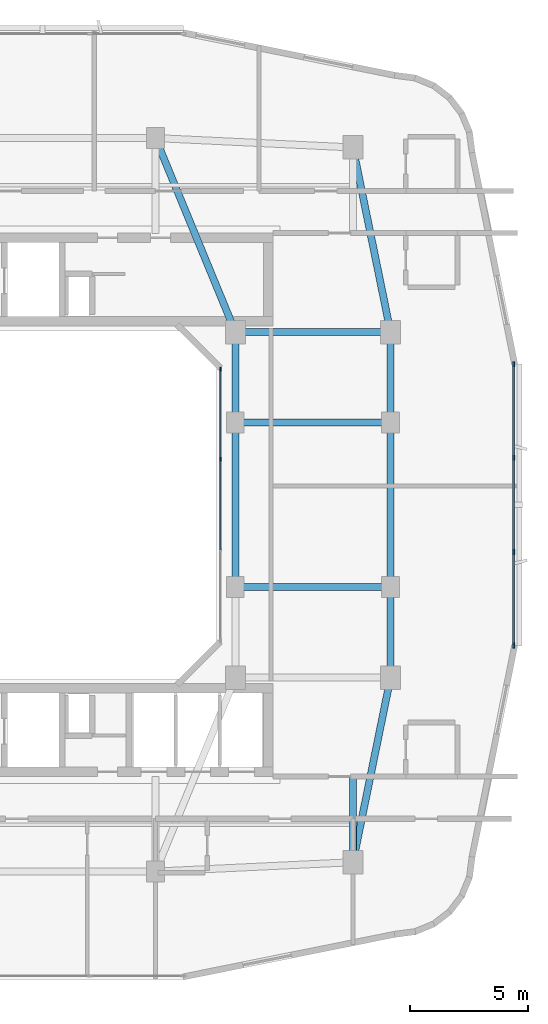
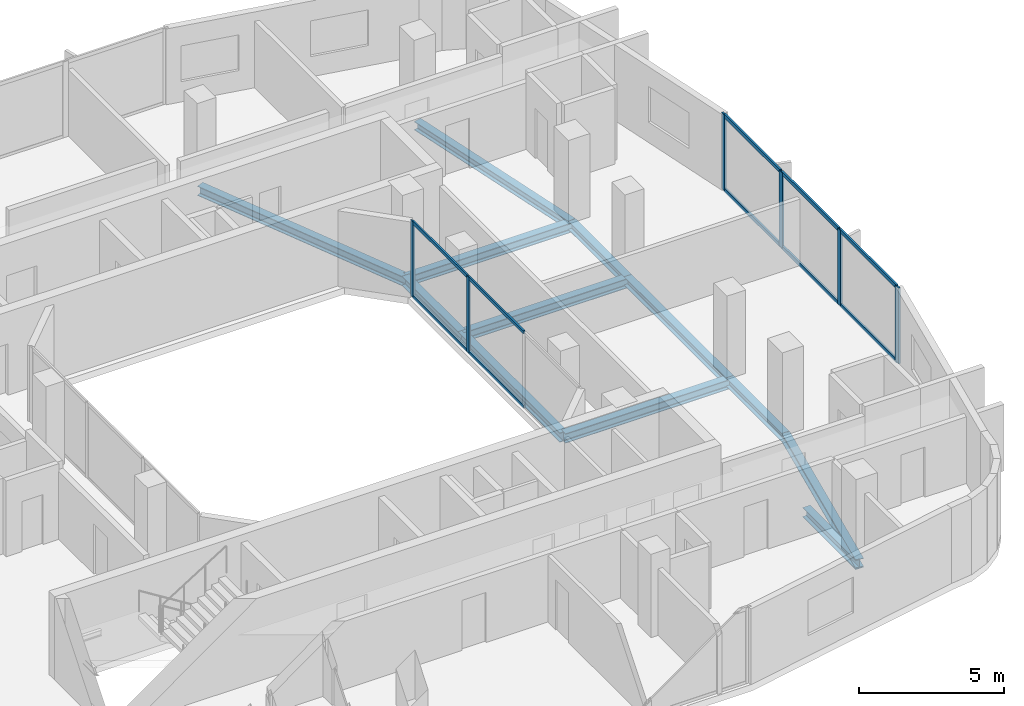
# One storey, part 4 of 14: 16 members, 12 beams, 2 elements without a shape of their own.
"""IFC4 building model written with IfcOpenShell, lengths in metres."""

from ifc_helpers import new_model, si_unit, derived_unit, direction, frame, origin, origin_2d, place, context, subcontext, project, spatial, rectangle, i_section, extrude, material, layer, layer_set, material_profile, profile_set, type_object, element, aggregate, save


model = new_model("IFC4")

# Units and contexts
model_context = context("Model", 3, precision=1e-05, world=origin(), true_north=direction((0.0, 1.0)))
body_context = subcontext(model_context, "Body", "Model", "MODEL_VIEW")
ifc_project = project(units=[si_unit("LENGTHUNIT", "METRE"), si_unit("AREAUNIT", "SQUARE_METRE"), si_unit("VOLUMEUNIT", "CUBIC_METRE"), si_unit("PLANEANGLEUNIT", "RADIAN"), si_unit("MASSUNIT", "GRAM", prefix="KILO"), derived_unit("THERMALTRANSMITTANCEUNIT", [(si_unit("POWERUNIT", "WATT"), 1), (si_unit("LENGTHUNIT", "METRE"), -2), (si_unit("THERMODYNAMICTEMPERATUREUNIT", "KELVIN"), -1)])], contexts=[model_context])

# Site, building, storey
site_placement = place(None, origin())
site = spatial("IfcSite", under=ifc_project, at=site_placement, CompositionType="ELEMENT")
building_placement = place(site_placement, origin())
building = spatial("IfcBuilding", under=site, at=building_placement, Name="Kivonza Crest Hotel", CompositionType="ELEMENT")
storey_placement = place(building_placement, frame((0.0, 0.0, 169.5)))
storey = spatial("IfcBuildingStorey", under=building, at=storey_placement, Name="L46", CompositionType="ELEMENT", Elevation=169.5)

# Beams
ifc_material_1 = material(Name="Steel S355", Category="steel")
ifc_material_profile_1 = material_profile(ifc_material_1, i_section(OverallWidth=0.300048828125, OverallDepth=0.360107421875, WebThickness=0.012451171875, FlangeThickness=0.0224609375, FilletRadius=0.027099609375, at=origin_2d()), Name="HEB 360")
ifc_profile_set_1 = profile_set([ifc_material_profile_1], Name="Steel S355")
beam_type_1 = type_object("IfcBeamType", Name="BM-HEB360", PredefinedType="SPANDREL", material=ifc_profile_set_1)
beam_1_placement = place(storey_placement, frame((34.199951171875, 9.800048828125, -0.4599609375), z_axis=(0.199730733965, 0.979850822273, 0.0), x_axis=(-0.979850822273, 0.199730733965, 0.0)))
element("IfcBeam", 1, at=beam_1_placement, inside=storey, type_object=beam_type_1, Name="Tower T1 L46 perimeter spandrel SE-PSE", PredefinedType="SPANDREL", context=body_context, shape_type="SweptSolid", body=[
    extrude(i_section(OverallWidth=0.300048828125, OverallDepth=0.360107421875, WebThickness=0.012451171875, FlangeThickness=0.0224609375, FilletRadius=0.027099609375, at=origin_2d()), origin(), (0.0, 0.0, 1.0), 8.01123046875),
])
beam_2_placement = place(storey_placement, frame((35.800048828125, 17.64990234375, -0.4599609375), z_axis=(0.0, 1.0, 0.0), x_axis=(-1.0, 0.0, 0.0)))
element("IfcBeam", 2, at=beam_2_placement, inside=storey, type_object=beam_type_1, Name="Tower T1 L46 perimeter spandrel PSE-E1", PredefinedType="SPANDREL", context=body_context, shape_type="SweptSolid", body=[
    extrude(i_section(OverallWidth=0.300048828125, OverallDepth=0.360107421875, WebThickness=0.012451171875, FlangeThickness=0.0224609375, FilletRadius=0.027099609375, at=origin_2d()), origin(), (0.0, 0.0, 1.0), 3.85009765625),
])
beam_3_placement = place(storey_placement, frame((35.800048828125, 21.5, -0.4599609375), z_axis=(0.0, 1.0, 0.0), x_axis=(-1.0, 0.0, 0.0)))
element("IfcBeam", 3, at=beam_3_placement, inside=storey, type_object=beam_type_1, Name="Tower T1 L46 perimeter spandrel E1-E2", PredefinedType="SPANDREL", context=body_context, shape_type="SweptSolid", body=[
    extrude(i_section(OverallWidth=0.300048828125, OverallDepth=0.360107421875, WebThickness=0.012451171875, FlangeThickness=0.0224609375, FilletRadius=0.027099609375, at=origin_2d()), origin(), (0.0, 0.0, 1.0), 7.0),
])
beam_4_placement = place(storey_placement, frame((35.800048828125, 28.5, -0.4599609375), z_axis=(0.0, 1.0, 0.0), x_axis=(-1.0, 0.0, 0.0)))
element("IfcBeam", 4, at=beam_4_placement, inside=storey, type_object=beam_type_1, Name="Tower T1 L46 perimeter spandrel E2-PNE", PredefinedType="SPANDREL", context=body_context, shape_type="SweptSolid", body=[
    extrude(i_section(OverallWidth=0.300048828125, OverallDepth=0.360107421875, WebThickness=0.012451171875, FlangeThickness=0.0224609375, FilletRadius=0.027099609375, at=origin_2d()), origin(), (0.0, 0.0, 1.0), 3.85009765625),
])
beam_5_placement = place(storey_placement, frame((35.800048828125, 32.35009765625, -0.4599609375), z_axis=(-0.199730733965, 0.979850822273, 0.0), x_axis=(-0.979850822273, -0.199730733965, 0.0)))
element("IfcBeam", 5, at=beam_5_placement, inside=storey, type_object=beam_type_1, Name="Tower T1 L46 perimeter spandrel PNE-NE", PredefinedType="SPANDREL", context=body_context, shape_type="SweptSolid", body=[
    extrude(i_section(OverallWidth=0.300048828125, OverallDepth=0.360107421875, WebThickness=0.012451171875, FlangeThickness=0.0224609375, FilletRadius=0.027099609375, at=origin_2d()), origin(), (0.0, 0.0, 1.0), 8.01123046875),
])
ifc_material_profile_2 = material_profile(ifc_material_1, i_section(OverallWidth=0.300048828125, OverallDepth=0.39990234375, WebThickness=0.013427734375, FlangeThickness=0.02392578125, FilletRadius=0.027099609375, at=origin_2d()), Name="HEB 400")
ifc_profile_set_2 = profile_set([ifc_material_profile_2], Name="Steel S355")
beam_type_2 = type_object("IfcBeamType", Name="BM-HEB400", PredefinedType="BEAM", material=ifc_profile_set_2)
beam_6_placement = place(storey_placement, frame((25.800048828125, 40.60009765625, -0.47998046875), z_axis=(0.381022260404, -0.924565864109, 0.0), x_axis=(0.924565864109, 0.381022260404, 0.0)))
element("IfcBeam", 6, at=beam_6_placement, inside=storey, type_object=beam_type_2, Name="Tower T1 L46 primary girder N1-TNE", PredefinedType="BEAM", context=body_context, shape_type="SweptSolid", body=[
    extrude(i_section(OverallWidth=0.300048828125, OverallDepth=0.39990234375, WebThickness=0.013427734375, FlangeThickness=0.02392578125, FilletRadius=0.027099609375, at=origin_2d()), origin(), (0.0, 0.0, 1.0), 8.923095703125),
])
beam_7_placement = place(storey_placement, frame((29.199951171875, 32.35009765625, -0.47998046875), z_axis=(1.0, 0.0, 0.0), x_axis=(0.0, 1.0, 0.0)))
element("IfcBeam", 7, at=beam_7_placement, inside=storey, type_object=beam_type_2, Name="Tower T1 L46 primary girder TNE-PNE", PredefinedType="BEAM", context=body_context, shape_type="SweptSolid", body=[
    extrude(i_section(OverallWidth=0.300048828125, OverallDepth=0.39990234375, WebThickness=0.013427734375, FlangeThickness=0.02392578125, FilletRadius=0.027099609375, at=origin_2d()), origin(), (0.0, 0.0, 1.0), 6.60009765625),
])
beam_8_placement = place(storey_placement, frame((29.199951171875, 21.5, -0.47998046875), z_axis=(0.0, 1.0, 0.0), x_axis=(-1.0, 0.0, 0.0)))
element("IfcBeam", 8, at=beam_8_placement, inside=storey, type_object=beam_type_2, Name="Tower T1 L46 primary girder WR1-WR2", PredefinedType="BEAM", context=body_context, shape_type="SweptSolid", body=[
    extrude(i_section(OverallWidth=0.300048828125, OverallDepth=0.39990234375, WebThickness=0.013427734375, FlangeThickness=0.02392578125, FilletRadius=0.027099609375, at=origin_2d()), origin(), (0.0, 0.0, 1.0), 7.0),
])
beam_9_placement = place(storey_placement, frame((29.199951171875, 28.5, -0.47998046875), z_axis=(0.0, 1.0, 0.0), x_axis=(-1.0, 0.0, 0.0)))
element("IfcBeam", 9, at=beam_9_placement, inside=storey, type_object=beam_type_2, Name="Tower T1 L46 primary girder WR2-TNE", PredefinedType="BEAM", context=body_context, shape_type="SweptSolid", body=[
    extrude(i_section(OverallWidth=0.300048828125, OverallDepth=0.39990234375, WebThickness=0.013427734375, FlangeThickness=0.02392578125, FilletRadius=0.027099609375, at=origin_2d()), origin(), (0.0, 0.0, 1.0), 3.85009765625),
])
for number, where, z_axis, x_axis, name in (
    (10, (29.199951171875, 21.5, -0.47998046875), (1.0, 0.0, 0.0), (0.0, 1.0, 0.0), "Tower T1 L46 primary girder WR1-E1"),
    (11, (29.199951171875, 28.5, -0.47998046875), (1.0, 0.0, 0.0), (0.0, 1.0, 0.0), "Tower T1 L46 primary girder WR2-E2"),
):
    element("IfcBeam", number, at=place(storey_placement, frame(where, z_axis=z_axis, x_axis=x_axis)), inside=storey, type_object=beam_type_2, Name=name, PredefinedType="BEAM", context=body_context, shape_type="SweptSolid", body=[
        extrude(i_section(OverallWidth=0.300048828125, OverallDepth=0.39990234375, WebThickness=0.013427734375, FlangeThickness=0.02392578125, FilletRadius=0.027099609375, at=origin_2d()), origin(), (0.0, 0.0, 1.0), 6.60009765625),
    ])
beam_10_placement = place(storey_placement, frame((34.199951171875, 9.800048828125, -0.47998046875), z_axis=(0.0, 1.0, 0.0), x_axis=(-1.0, 0.0, 0.0)))
element("IfcBeam", 12, at=beam_10_placement, inside=storey, type_object=beam_type_2, Name="Tower T1 L46 radial core girder RSE", PredefinedType="BEAM", context=body_context, shape_type="SweptSolid", body=[
    extrude(i_section(OverallWidth=0.300048828125, OverallDepth=0.39990234375, WebThickness=0.013427734375, FlangeThickness=0.02392578125, FilletRadius=0.027099609375, at=origin_2d()), origin(), (0.0, 0.0, 1.0), 3.64990234375),
])

# Curtain wall, members
ifc_material_2 = material(Name="Anodised bronze aluminium and low-E double glazing", Category="aluminium")
ifc_layer_1 = layer(ifc_material_2, 0.159912109375)
ifc_layer_set_1 = layer_set([ifc_layer_1], Name="Anodised bronze aluminium and low-E double glazing")
curtain_wall_type_1 = type_object("IfcCurtainWallType", Name="CW-SYS-5", PredefinedType="NOTDEFINED", material=ifc_layer_set_1)
curtain_wall_1_placement = place(storey_placement, origin())
curtain_wall_1 = element("IfcCurtainWall", 13, at=curtain_wall_1_placement, inside=storey, type_object=curtain_wall_type_1, Name="L46 unitised curtain wall CW-WELL-T1-L46-3", PredefinedType="NOTDEFINED")
ifc_material_3 = material(Name="Anodised bronze aluminium", Category="aluminium")
ifc_material_profile_3 = material_profile(ifc_material_3, rectangle(XDim=0.06494140625, YDim=0.179931640625, at=origin_2d()), Name="CW-M 65x180")
ifc_profile_set_3 = profile_set([ifc_material_profile_3], Name="Anodised bronze aluminium")
member_type_1 = type_object("IfcMemberType", Name="CW-MUL-65x180", PredefinedType="MULLION", material=ifc_profile_set_3)
member_1_placement = place(storey_placement, frame((28.56005859375, 26.933349609375, 0.0), z_axis=(0.0, 0.0, 1.0), x_axis=(-1.0, 0.0, 0.0)))
member_1 = element("IfcMember", 14, at=member_1_placement, type_object=member_type_1, Name="CW-5 mullion 3", PredefinedType="MULLION", context=body_context, shape_type="SweptSolid", body=[
    extrude(rectangle(XDim=0.06494140625, YDim=0.179931640625, at=origin_2d()), origin(), (0.0, 0.0, 1.0), 3.179931640625),
])
member_2_placement = place(storey_placement, frame((28.56005859375, 30.767578125, 0.0), z_axis=(0.0, 0.0, 1.0), x_axis=(-1.0, 0.0, 0.0)))
member_2 = element("IfcMember", 15, at=member_2_placement, type_object=member_type_1, Name="CW-5 mullion 4", PredefinedType="MULLION", context=body_context, shape_type="SweptSolid", body=[
    extrude(rectangle(XDim=0.06494140625, YDim=0.179931640625, at=origin_2d()), origin(), (0.0, 0.0, 1.0), 3.179931640625),
])

ifc_layer_2 = layer(ifc_material_2, 0.179931640625)
ifc_layer_set_2 = layer_set([ifc_layer_2], Name="Anodised bronze aluminium and low-E double glazing")
curtain_wall_type_2 = type_object("IfcCurtainWallType", Name="CW-SYS-3", PredefinedType="NOTDEFINED", material=ifc_layer_set_2)
curtain_wall_2_placement = place(storey_placement, origin())
curtain_wall_2 = element("IfcCurtainWall", 16, at=curtain_wall_2_placement, inside=storey, type_object=curtain_wall_type_2, Name="L46 unitised curtain wall CW-T1-L46-17", PredefinedType="NOTDEFINED")
ifc_material_profile_4 = material_profile(ifc_material_3, rectangle(XDim=0.074951171875, YDim=0.219970703125, at=origin_2d()), Name="CW-M 75x220")
ifc_profile_set_4 = profile_set([ifc_material_profile_4], Name="Anodised bronze aluminium")
member_type_2 = type_object("IfcMemberType", Name="CW-MUL-75x220", PredefinedType="MULLION", material=ifc_profile_set_4)
member_3_placement = place(storey_placement, frame((41.0400390625, 19.017578125, 0.0), z_axis=(0.0, 0.0, 1.0), x_axis=(-1.0, 0.0, 0.0)))
member_3 = element("IfcMember", 17, at=member_3_placement, type_object=member_type_2, Name="CW-3 mullion 1", PredefinedType="MULLION", context=body_context, shape_type="SweptSolid", body=[
    extrude(rectangle(XDim=0.074951171875, YDim=0.219970703125, at=origin_2d()), origin(), (0.0, 0.0, 1.0), 3.179931640625),
])
member_4_placement = place(storey_placement, frame((41.0400390625, 22.993408203125, 0.0), z_axis=(0.0, 0.0, 1.0), x_axis=(-1.0, 0.0, 0.0)))
member_4 = element("IfcMember", 18, at=member_4_placement, type_object=member_type_2, Name="CW-3 mullion 2", PredefinedType="MULLION", context=body_context, shape_type="SweptSolid", body=[
    extrude(rectangle(XDim=0.074951171875, YDim=0.219970703125, at=origin_2d()), origin(), (0.0, 0.0, 1.0), 3.179931640625),
])
member_5_placement = place(storey_placement, frame((41.0400390625, 27.006591796875, 0.0), z_axis=(0.0, 0.0, 1.0), x_axis=(-1.0, 0.0, 0.0)))
member_5 = element("IfcMember", 19, at=member_5_placement, type_object=member_type_2, Name="CW-3 mullion 3", PredefinedType="MULLION", context=body_context, shape_type="SweptSolid", body=[
    extrude(rectangle(XDim=0.074951171875, YDim=0.219970703125, at=origin_2d()), origin(), (0.0, 0.0, 1.0), 3.179931640625),
])
member_6_placement = place(storey_placement, frame((41.0400390625, 30.982421875, 0.0), z_axis=(0.0, 0.0, 1.0), x_axis=(-1.0, 0.0, 0.0)))
member_6 = element("IfcMember", 20, at=member_6_placement, type_object=member_type_2, Name="CW-3 mullion 4", PredefinedType="MULLION", context=body_context, shape_type="SweptSolid", body=[
    extrude(rectangle(XDim=0.074951171875, YDim=0.219970703125, at=origin_2d()), origin(), (0.0, 0.0, 1.0), 3.179931640625),
])

# Member
ifc_material_profile_5 = material_profile(ifc_material_3, rectangle(XDim=0.06494140625, YDim=0.139892578125, at=origin_2d()), Name="CW-T 65x140")
ifc_profile_set_5 = profile_set([ifc_material_profile_5], Name="Anodised bronze aluminium")
member_type_3 = type_object("IfcMemberType", Name="CW-TRN-65x140", PredefinedType="USERDEFINED", material=ifc_profile_set_5)
member_7_placement = place(storey_placement, frame((28.56005859375, 23.09912109375, 0.032470703125), z_axis=(0.0, 1.0, 0.0), x_axis=(-1.0, 0.0, 0.0)))
member_7 = element("IfcMember", 21, at=member_7_placement, type_object=member_type_3, Name="CW-5 transom 2.1", ObjectType="TRANSOM", PredefinedType="USERDEFINED", context=body_context, shape_type="SweptSolid", body=[
    extrude(rectangle(XDim=0.06494140625, YDim=0.139892578125, at=origin_2d()), origin(), (0.0, 0.0, 1.0), 3.8017578125),
])

member_8_placement = place(storey_placement, frame((28.56005859375, 23.09912109375, 3.1474609375), z_axis=(0.0, 1.0, 0.0), x_axis=(-1.0, 0.0, 0.0)))
member_8 = element("IfcMember", 22, at=member_8_placement, type_object=member_type_3, Name="CW-5 transom 2.2", ObjectType="TRANSOM", PredefinedType="USERDEFINED", context=body_context, shape_type="SweptSolid", body=[
    extrude(rectangle(XDim=0.06494140625, YDim=0.139892578125, at=origin_2d()), origin(), (0.0, 0.0, 1.0), 3.8017578125),
])

member_9_placement = place(storey_placement, frame((28.56005859375, 26.9658203125, 0.032470703125), z_axis=(0.0, 1.0, 0.0), x_axis=(-1.0, 0.0, 0.0)))
member_9 = element("IfcMember", 23, at=member_9_placement, type_object=member_type_3, Name="CW-5 transom 3.1", ObjectType="TRANSOM", PredefinedType="USERDEFINED", context=body_context, shape_type="SweptSolid", body=[
    extrude(rectangle(XDim=0.06494140625, YDim=0.139892578125, at=origin_2d()), origin(), (0.0, 0.0, 1.0), 3.769287109375),
])

member_10_placement = place(storey_placement, frame((28.56005859375, 26.9658203125, 3.1474609375), z_axis=(0.0, 1.0, 0.0), x_axis=(-1.0, 0.0, 0.0)))
member_10 = element("IfcMember", 24, at=member_10_placement, type_object=member_type_3, Name="CW-5 transom 3.2", ObjectType="TRANSOM", PredefinedType="USERDEFINED", context=body_context, shape_type="SweptSolid", body=[
    extrude(rectangle(XDim=0.06494140625, YDim=0.139892578125, at=origin_2d()), origin(), (0.0, 0.0, 1.0), 3.769287109375),
])

aggregate(curtain_wall_1, [member_1, member_2, member_7, member_8, member_9, member_10])

ifc_material_profile_6 = material_profile(ifc_material_3, rectangle(XDim=0.074951171875, YDim=0.159912109375, at=origin_2d()), Name="CW-T 75x160")
ifc_profile_set_6 = profile_set([ifc_material_profile_6], Name="Anodised bronze aluminium")
member_type_4 = type_object("IfcMemberType", Name="CW-TRN-75x160", PredefinedType="USERDEFINED", material=ifc_profile_set_6)
member_11_placement = place(storey_placement, frame((41.0400390625, 19.054931640625, 0.03759765625), z_axis=(0.0, 1.0, 0.0), x_axis=(-1.0, 0.0, 0.0)))
member_11 = element("IfcMember", 25, at=member_11_placement, type_object=member_type_4, Name="CW-3 transom 1.1", ObjectType="TRANSOM", PredefinedType="USERDEFINED", context=body_context, shape_type="SweptSolid", body=[
    extrude(rectangle(XDim=0.074951171875, YDim=0.159912109375, at=origin_2d()), origin(), (0.0, 0.0, 1.0), 3.90087890625),
])

member_12_placement = place(storey_placement, frame((41.0400390625, 19.054931640625, 3.142578125), z_axis=(0.0, 1.0, 0.0), x_axis=(-1.0, 0.0, 0.0)))
member_12 = element("IfcMember", 26, at=member_12_placement, type_object=member_type_4, Name="CW-3 transom 1.2", ObjectType="TRANSOM", PredefinedType="USERDEFINED", context=body_context, shape_type="SweptSolid", body=[
    extrude(rectangle(XDim=0.074951171875, YDim=0.159912109375, at=origin_2d()), origin(), (0.0, 0.0, 1.0), 3.90087890625),
])

member_13_placement = place(storey_placement, frame((41.0400390625, 23.03076171875, 0.03759765625), z_axis=(0.0, 1.0, 0.0), x_axis=(-1.0, 0.0, 0.0)))
member_13 = element("IfcMember", 27, at=member_13_placement, type_object=member_type_4, Name="CW-3 transom 2.1", ObjectType="TRANSOM", PredefinedType="USERDEFINED", context=body_context, shape_type="SweptSolid", body=[
    extrude(rectangle(XDim=0.074951171875, YDim=0.159912109375, at=origin_2d()), origin(), (0.0, 0.0, 1.0), 3.9384765625),
])

member_14_placement = place(storey_placement, frame((41.0400390625, 23.03076171875, 3.142578125), z_axis=(0.0, 1.0, 0.0), x_axis=(-1.0, 0.0, 0.0)))
member_14 = element("IfcMember", 28, at=member_14_placement, type_object=member_type_4, Name="CW-3 transom 2.2", ObjectType="TRANSOM", PredefinedType="USERDEFINED", context=body_context, shape_type="SweptSolid", body=[
    extrude(rectangle(XDim=0.074951171875, YDim=0.159912109375, at=origin_2d()), origin(), (0.0, 0.0, 1.0), 3.9384765625),
])

member_15_placement = place(storey_placement, frame((41.0400390625, 27.044189453125, 0.03759765625), z_axis=(0.0, 1.0, 0.0), x_axis=(-1.0, 0.0, 0.0)))
member_15 = element("IfcMember", 29, at=member_15_placement, type_object=member_type_4, Name="CW-3 transom 3.1", ObjectType="TRANSOM", PredefinedType="USERDEFINED", context=body_context, shape_type="SweptSolid", body=[
    extrude(rectangle(XDim=0.074951171875, YDim=0.159912109375, at=origin_2d()), origin(), (0.0, 0.0, 1.0), 3.90087890625),
])

member_16_placement = place(storey_placement, frame((41.0400390625, 27.044189453125, 3.142578125), z_axis=(0.0, 1.0, 0.0), x_axis=(-1.0, 0.0, 0.0)))
member_16 = element("IfcMember", 30, at=member_16_placement, type_object=member_type_4, Name="CW-3 transom 3.2", ObjectType="TRANSOM", PredefinedType="USERDEFINED", context=body_context, shape_type="SweptSolid", body=[
    extrude(rectangle(XDim=0.074951171875, YDim=0.159912109375, at=origin_2d()), origin(), (0.0, 0.0, 1.0), 3.90087890625),
])

aggregate(curtain_wall_2, [member_3, member_4, member_5, member_6, member_11, member_12, member_13, member_14, member_15, member_16])

save(model, "model.ifc")
